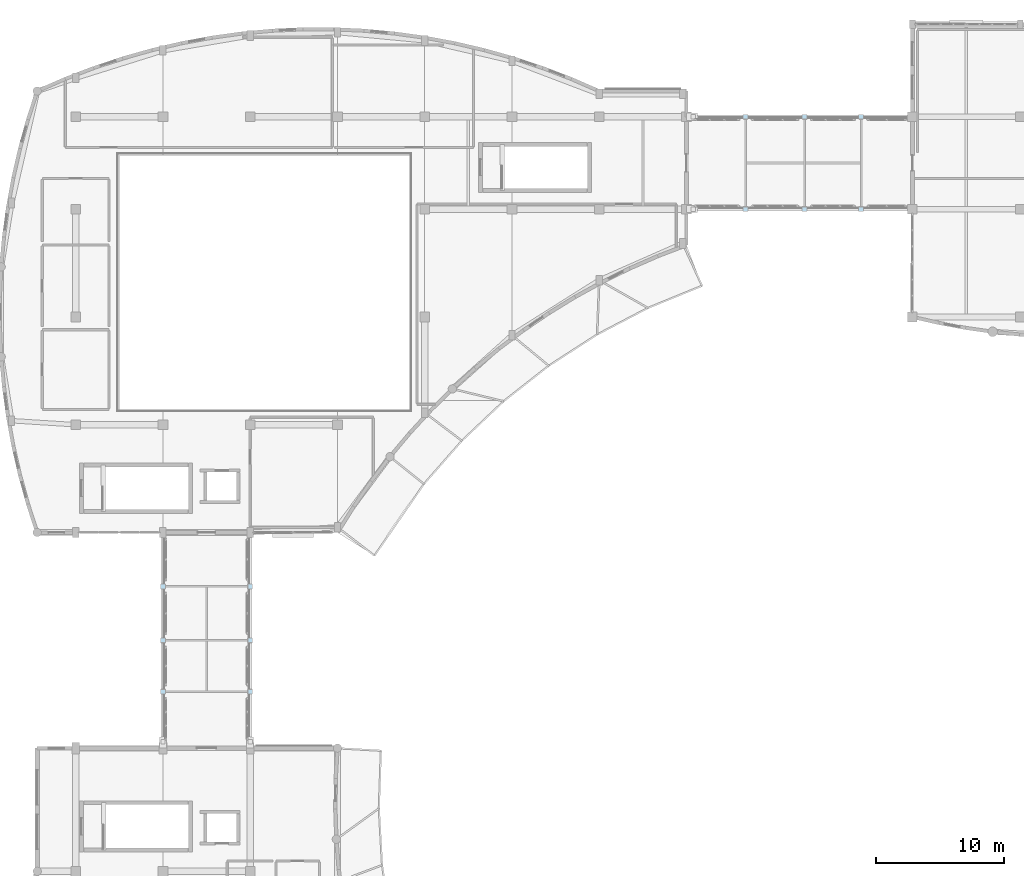
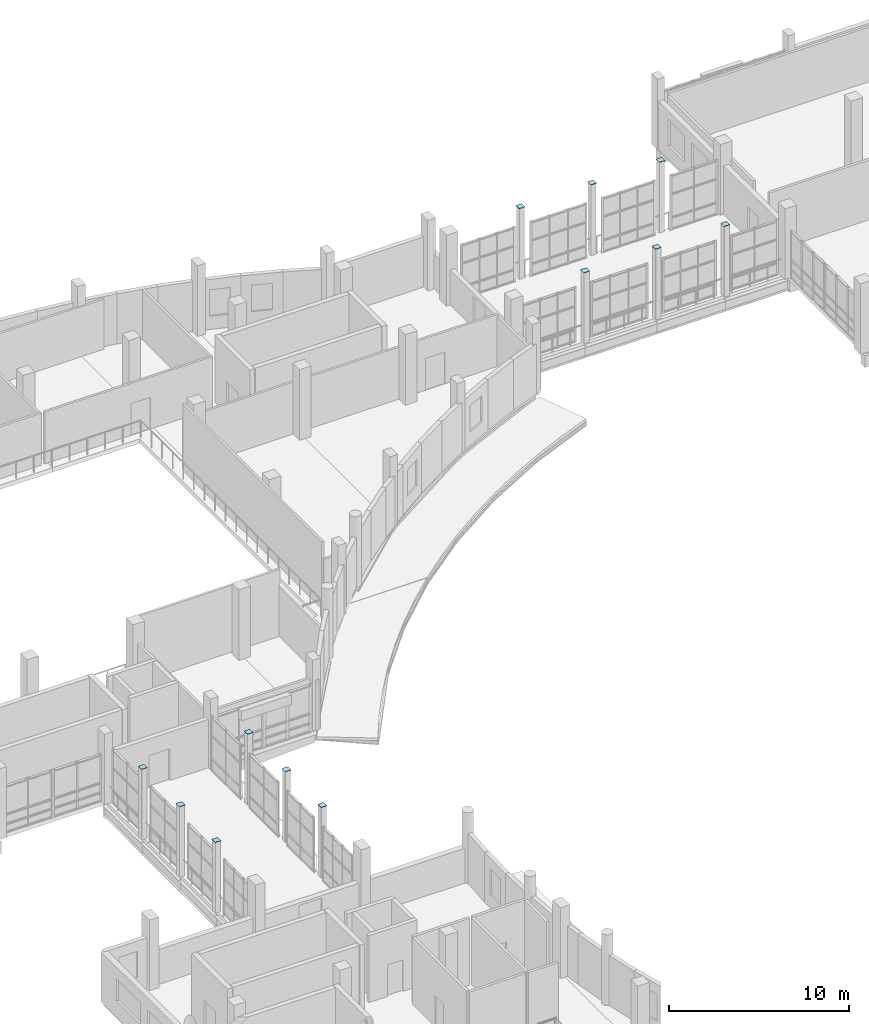
# One storey, part 80 of 106: 12 plates.
"""IFC4 building model written with IfcOpenShell, lengths in metres."""

from ifc_helpers import new_model, si_unit, direction, frame, origin, origin_2d, place, context, subcontext, project, spatial, rectangle, extrude, material, layer, layer_set, type_object, element, save


model = new_model("IFC4")

# Units and contexts
model_context = context("Model", 3, precision=1e-05, world=origin(), true_north=direction((0.0, 1.0)))
body_context = subcontext(model_context, "Body", "Model", "MODEL_VIEW")
ifc_project = project(units=[si_unit("LENGTHUNIT", "METRE"), si_unit("AREAUNIT", "SQUARE_METRE"), si_unit("VOLUMEUNIT", "CUBIC_METRE"), si_unit("PLANEANGLEUNIT", "RADIAN"), si_unit("MASSUNIT", "GRAM", prefix="KILO")], contexts=[model_context])

# Site, building, storey
site_placement = place(None, origin())
site = spatial("IfcSite", under=ifc_project, at=site_placement, CompositionType="ELEMENT")
building_placement = place(site_placement, origin())
building = spatial("IfcBuilding", under=site, at=building_placement, Name="Kisaragi Civic Commons", CompositionType="ELEMENT")
storey_placement = place(building_placement, frame((0.0, 0.0, 4.800048828125)))
storey = spatial("IfcBuildingStorey", under=building, at=storey_placement, Name="L01", CompositionType="ELEMENT", Elevation=4.800048828125)

# Plates
ifc_material = material(Name="Steel SN490 (SN490B)", Category="steel")
ifc_layer = layer(ifc_material, 0.02001953125, Name="Steel SN490 (SN490B)", Category="steel")
ifc_layer_set = layer_set([ifc_layer], Name="Steel SN490 (SN490B)")
plate_type = type_object("IfcPlateType", Name="CP-01", PredefinedType="SHEET", material=ifc_layer_set)
for number, where, z_axis, x_axis, name in (
    (1, (13.60009765625, 66.800048828125, 4.800048828125), (0.0, 0.0, 1.0), (1.0, 0.0, 0.0), "L01 column cap plate CP-01 (13.6,66.8)"),
    (2, (13.60009765625, 70.800048828125, 4.800048828125), (0.0, 0.0, 1.0), (1.0, 0.0, 0.0), "L01 column cap plate CP-01 (13.6,70.8)"),
    (3, (13.60009765625, 75.0, 4.800048828125), (0.0, 0.0, 1.0), (1.0, 0.0, 0.0), "L01 column cap plate CP-01 (13.6,75.0)"),
    (4, (20.39990234375, 66.800048828125, 4.800048828125), (0.0, 0.0, 1.0), (1.0, 0.0, 0.0), "L01 column cap plate CP-01 (20.4,66.8)"),
    (5, (20.39990234375, 70.800048828125, 4.800048828125), (0.0, 0.0, 1.0), (1.0, 0.0, 0.0), "L01 column cap plate CP-01 (20.4,70.8)"),
    (6, (20.39990234375, 75.0, 4.800048828125), (0.0, 0.0, 1.0), (1.0, 0.0, 0.0), "L01 column cap plate CP-01 (20.4,75.0)"),
    (7, (59.0, 104.39990234375, 4.800048828125), (0.0, 0.0, 1.0), (1.0, 0.0, 0.0), "L01 column cap plate CP-01 (59.0,104.4)"),
    (8, (59.0, 111.60009765625, 4.800048828125), (0.0, 0.0, 1.0), (1.0, 0.0, 0.0), "L01 column cap plate CP-01 (59.0,111.6)"),
    (9, (63.60009765625, 104.39990234375, 4.800048828125), (0.0, 0.0, 1.0), (1.0, 0.0, 0.0), "L01 column cap plate CP-01 (63.6,104.4)"),
    (10, (63.60009765625, 111.60009765625, 4.800048828125), (0.0, 0.0, 1.0), (1.0, 0.0, 0.0), "L01 column cap plate CP-01 (63.6,111.6)"),
    (11, (68.0, 104.39990234375, 4.800048828125), (0.0, 0.0, 1.0), (1.0, 0.0, 0.0), "L01 column cap plate CP-01 (68.0,104.4)"),
    (12, (68.0, 111.60009765625, 4.800048828125), (0.0, 0.0, 1.0), (1.0, 0.0, 0.0), "L01 column cap plate CP-01 (68.0,111.6)"),
):
    element("IfcPlate", number, at=place(storey_placement, frame(where, z_axis=z_axis, x_axis=x_axis)), inside=storey, type_object=plate_type, Name=name, PredefinedType="SHEET", context=body_context, shape_type="SweptSolid", body=[
        extrude(rectangle(XDim=0.3701171875, YDim=0.3701171875, at=origin_2d()), origin(), (0.0, 0.0, 1.0), 0.02001953125),
    ])

save(model, "model.ifc")
